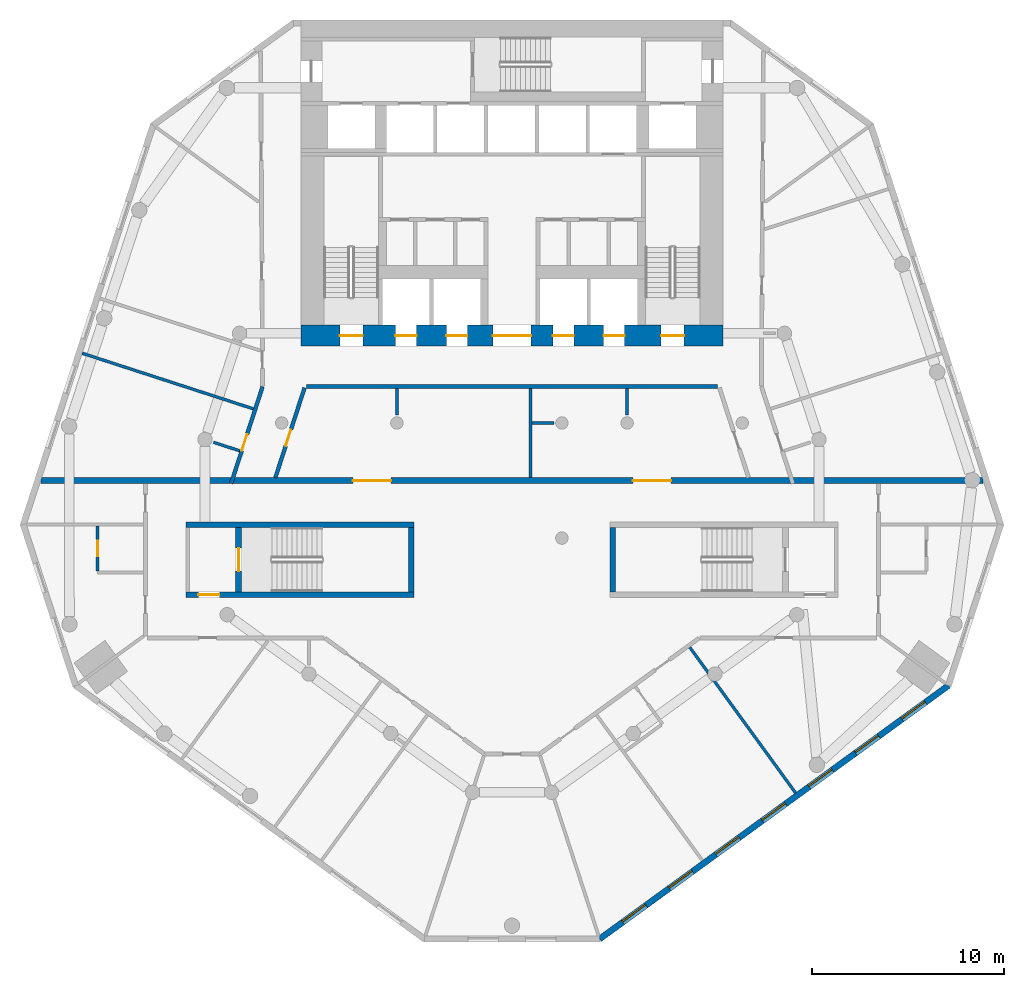
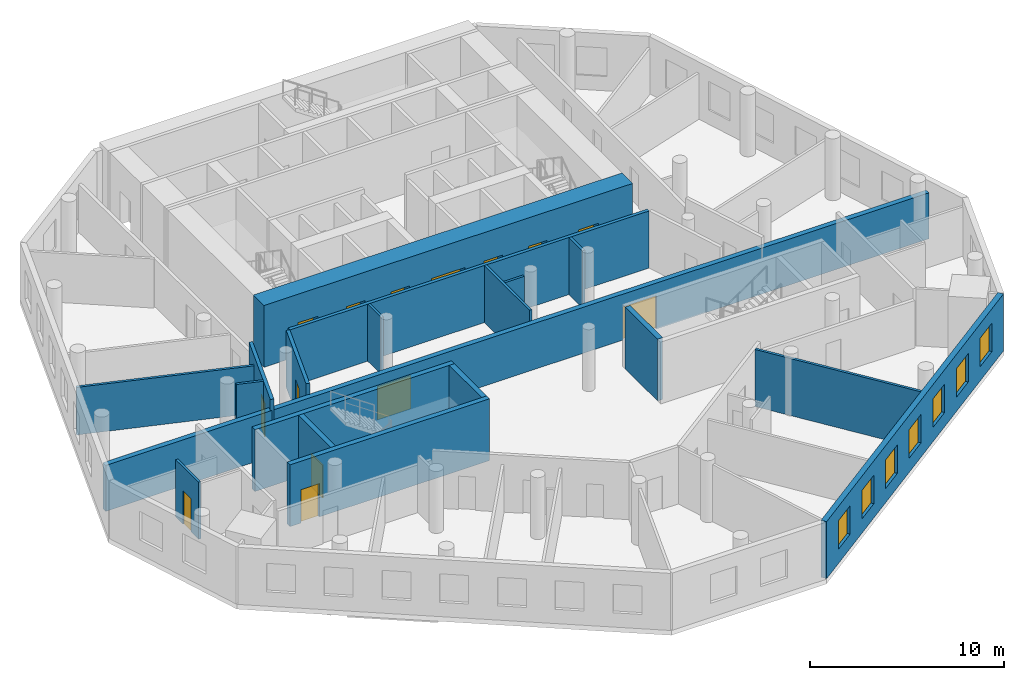
# One storey, part 3 of 9: 19 walls, 14 doors, 7 windows, 21 openings.
"""IFC4 building model written with IfcOpenShell, lengths in metres."""

from ifc_helpers import new_model, si_unit, direction, frame, frame_2d, origin, place, context, subcontext, project, spatial, rectangle, extrude, material, layer, layer_set, type_object, element, fill, save


model = new_model("IFC4")

# Units and contexts
model_context = context("Model", 3, precision=1e-05, world=origin(), true_north=direction((0.0, 1.0)))
body_context = subcontext(model_context, "Body", "Model", "MODEL_VIEW")
ifc_project = project(units=[si_unit("LENGTHUNIT", "METRE"), si_unit("AREAUNIT", "SQUARE_METRE"), si_unit("VOLUMEUNIT", "CUBIC_METRE"), si_unit("PLANEANGLEUNIT", "RADIAN"), si_unit("MASSUNIT", "GRAM", prefix="KILO")], contexts=[model_context])

# Site, building, storey
site_placement = place(None, origin())
site = spatial("IfcSite", under=ifc_project, at=site_placement, CompositionType="ELEMENT")
building_placement = place(site_placement, origin())
building = spatial("IfcBuilding", under=site, at=building_placement, Name="White Candle Pilgrim Tower", CompositionType="ELEMENT")
storey_placement = place(building_placement, frame((0.0, 0.0, 129.800048828125)))
storey = spatial("IfcBuildingStorey", under=building, at=storey_placement, Name="L29", CompositionType="ELEMENT", Elevation=129.800048828125)

# Wall, opening, door
ifc_material_1 = material(Name="Gypsum board on steel studs", Category="steel")
ifc_layer_1 = layer(ifc_material_1, 0.199951171875)
ifc_layer_set_1 = layer_set([ifc_layer_1], Name="Corridor wall 200 mm EI 45")
wall_type_1 = type_object("IfcWallType", Name="Corridor wall 200 mm EI 45", PredefinedType="PARTITIONING", material=ifc_layer_set_1)
wall_1_placement = place(storey_placement, frame((55.363037109375, 63.85009765625, 0.0), z_axis=(0.0, 0.0, 1.0), x_axis=(0.309051657945, 0.95104525272, 0.0)))
wall_1 = element("IfcWall", 1, at=wall_1_placement, inside=storey, type_object=wall_type_1, Name="WL-L29-P002", PredefinedType="PARTITIONING", context=body_context, shape_type="SweptSolid", body=[
    extrude(rectangle(XDim=5.29345703125, YDim=0.199951171875, at=frame_2d((2.646728515625, 0.0))), origin(), (0.0, 0.0, 1.0), 3.599853515625),
])
opening_1_placement = place(wall_1_placement, frame((1.79150390625, 0.0, 0.0)))
opening_1 = element("IfcOpeningElement", 2, at=opening_1_placement, cuts=wall_1, Name="Opening T09-117", PredefinedType="OPENING", context=body_context, shape_type="SweptSolid", body=[
    extrude(rectangle(XDim=0.89990234375, YDim=2.10009765625, at=frame_2d((0.449951171875, 1.050048828125))), frame((0.0, 0.10986328125, 0.0), z_axis=(0.0, -1.0, 0.0), x_axis=(1.0, 0.0, 0.0)), (0.0, 0.0, 1.0), 0.219970703125),
])
ifc_material_2 = material(Name="Steel door leaf", Category="steel")
door_type_1 = type_object("IfcDoorType", Name="Fire door 900 x 2100 EI 30", OperationType="NOTDEFINED", PredefinedType="DOOR", material=ifc_material_2)
door_1_placement = place(opening_1_placement, origin())
door_1 = element("IfcDoor", 3, at=door_1_placement, inside=storey, type_object=door_type_1, Name="Door T09-117", OperationType="SINGLE_SWING_LEFT", OverallHeight=2.10009765625, OverallWidth=0.89990234375, PredefinedType="DOOR", context=body_context, shape_type="SweptSolid", body=[
    extrude(rectangle(XDim=0.89990234375, YDim=2.10009765625, at=frame_2d((0.449951171875, 1.050048828125))), frame((0.0, 0.02490234375, 0.0), z_axis=(0.0, -1.0, 0.0), x_axis=(1.0, 0.0, 0.0)), (0.0, 0.0, 1.0), 0.050048828125),
])
fill(opening_1, door_1)

# Wall
wall_2_placement = place(storey_placement, frame((80.71533203125, 68.89990234375, 0.0), z_axis=(0.0, 0.0, 1.0), x_axis=(-1.0, 0.0, 0.0)))
element("IfcWall", 4, at=wall_2_placement, inside=storey, type_object=wall_type_1, Name="WL-L29-P013", PredefinedType="PARTITIONING", context=body_context, shape_type="SweptSolid", body=[
    extrude(rectangle(XDim=21.4306640625, YDim=0.199951171875, at=frame_2d((10.71533203125, 0.0))), origin(), (0.0, 0.0, 1.0), 3.599853515625),
])

# Wall, opening, door
wall_3_placement = place(storey_placement, frame((59.189697265625, 68.830810546875, 0.0), z_axis=(0.0, 0.0, 1.0), x_axis=(-0.309031112369, -0.951051928965, 0.0)))
wall_3 = element("IfcWall", 5, at=wall_3_placement, inside=storey, type_object=wall_type_1, Name="WL-L29-P014", PredefinedType="PARTITIONING", context=body_context, shape_type="SweptSolid", body=[
    extrude(rectangle(XDim=4.921875, YDim=0.199951171875, at=frame_2d((2.4609375, 0.0))), origin(), (0.0, 0.0, 1.0), 3.599853515625),
])
opening_2_placement = place(wall_3_placement, frame((2.29150390625, 0.0, 0.0)))
opening_2 = element("IfcOpeningElement", 6, at=opening_2_placement, cuts=wall_3, Name="Opening T09-127", PredefinedType="OPENING", context=body_context, shape_type="SweptSolid", body=[
    extrude(rectangle(XDim=0.89990234375, YDim=2.10009765625, at=frame_2d((0.449951171875, 1.050048828125))), frame((0.0, 0.10986328125, 0.0), z_axis=(0.0, -1.0, 0.0), x_axis=(1.0, 0.0, 0.0)), (0.0, 0.0, 1.0), 0.219970703125),
])
door_2_placement = place(opening_2_placement, origin())
door_2 = element("IfcDoor", 7, at=door_2_placement, inside=storey, type_object=door_type_1, Name="Door T09-127", OperationType="SINGLE_SWING_LEFT", OverallHeight=2.10009765625, OverallWidth=0.89990234375, PredefinedType="DOOR", context=body_context, shape_type="SweptSolid", body=[
    extrude(rectangle(XDim=0.89990234375, YDim=2.10009765625, at=frame_2d((0.449951171875, 1.050048828125))), frame((0.0, 0.02490234375, 0.0), z_axis=(0.0, -1.0, 0.0), x_axis=(1.0, 0.0, 0.0)), (0.0, 0.0, 1.0), 0.050048828125),
])
fill(opening_2, door_2)

# Wall, openings, windows
ifc_material_3 = material(Name="Precast concrete C40/50", Category="concrete")
ifc_layer_2 = layer(ifc_material_3, 0.320068359375)
ifc_layer_set_2 = layer_set([ifc_layer_2], Name="Facade wall EW1 precast concrete C40/50 pier wall with timber-lined reveals")
wall_type_2 = type_object("IfcWallType", Name="Facade wall EW1 precast concrete C40/50 pier wall with timber-lined reveals", PredefinedType="SOLIDWALL", material=ifc_layer_set_2)
wall_4_placement = place(storey_placement, frame((74.56787109375, 40.106689453125, 0.0), z_axis=(0.0, 0.0, 1.0), x_axis=(0.809018352132, 0.587783383496, 0.0)))
wall_4 = element("IfcWall", 8, at=wall_4_placement, inside=storey, type_object=wall_type_2, Name="Facade wall L29 SE", PredefinedType="SOLIDWALL", context=body_context, shape_type="SweptSolid", body=[
    extrude(rectangle(XDim=22.47119140625, YDim=0.320068359375, at=frame_2d((11.235595703125, 0.0))), origin(), (0.0, 0.0, 1.0), 3.599853515625),
])
opening_3_placement = place(wall_4_placement, frame((1.485595703125, 0.0, 0.89990234375)))
opening_3 = element("IfcOpeningElement", 9, at=opening_3_placement, cuts=wall_4, Name="Opening W1", PredefinedType="OPENING", context=body_context, shape_type="SweptSolid", body=[
    extrude(rectangle(XDim=1.5, YDim=1.800048828125, at=frame_2d((0.75, 0.89990234375))), frame((0.0, 0.169921875, 0.0), z_axis=(0.0, -1.0, 0.0), x_axis=(1.0, 0.0, 0.0)), (0.0, 0.0, 1.0), 0.340087890625),
])
opening_4_placement = place(wall_4_placement, frame((4.485595703125, 0.0, 0.89990234375)))
opening_4 = element("IfcOpeningElement", 10, at=opening_4_placement, cuts=wall_4, Name="Opening W1", PredefinedType="OPENING", context=body_context, shape_type="SweptSolid", body=[
    extrude(rectangle(XDim=1.5, YDim=1.800048828125, at=frame_2d((0.75, 0.89990234375))), frame((0.0, 0.169921875, 0.0), z_axis=(0.0, -1.0, 0.0), x_axis=(1.0, 0.0, 0.0)), (0.0, 0.0, 1.0), 0.340087890625),
])
opening_5_placement = place(wall_4_placement, frame((7.485595703125, 0.0, 0.89990234375)))
opening_5 = element("IfcOpeningElement", 11, at=opening_5_placement, cuts=wall_4, Name="Opening W1", PredefinedType="OPENING", context=body_context, shape_type="SweptSolid", body=[
    extrude(rectangle(XDim=1.5, YDim=1.800048828125, at=frame_2d((0.75, 0.89990234375))), frame((0.0, 0.169921875, 0.0), z_axis=(0.0, -1.0, 0.0), x_axis=(1.0, 0.0, 0.0)), (0.0, 0.0, 1.0), 0.340087890625),
])
opening_6_placement = place(wall_4_placement, frame((10.485595703125, 0.0, 0.89990234375)))
opening_6 = element("IfcOpeningElement", 12, at=opening_6_placement, cuts=wall_4, Name="Opening W1", PredefinedType="OPENING", context=body_context, shape_type="SweptSolid", body=[
    extrude(rectangle(XDim=1.5, YDim=1.800048828125, at=frame_2d((0.75, 0.89990234375))), frame((0.0, 0.169921875, 0.0), z_axis=(0.0, -1.0, 0.0), x_axis=(1.0, 0.0, 0.0)), (0.0, 0.0, 1.0), 0.340087890625),
])
opening_7_placement = place(wall_4_placement, frame((13.485595703125, 0.0, 0.89990234375)))
opening_7 = element("IfcOpeningElement", 13, at=opening_7_placement, cuts=wall_4, Name="Opening W1", PredefinedType="OPENING", context=body_context, shape_type="SweptSolid", body=[
    extrude(rectangle(XDim=1.5, YDim=1.800048828125, at=frame_2d((0.75, 0.89990234375))), frame((0.0, 0.169921875, 0.0), z_axis=(0.0, -1.0, 0.0), x_axis=(1.0, 0.0, 0.0)), (0.0, 0.0, 1.0), 0.340087890625),
])
opening_8_placement = place(wall_4_placement, frame((16.485595703125, 0.0, 0.89990234375)))
opening_8 = element("IfcOpeningElement", 14, at=opening_8_placement, cuts=wall_4, Name="Opening W1", PredefinedType="OPENING", context=body_context, shape_type="SweptSolid", body=[
    extrude(rectangle(XDim=1.5, YDim=1.800048828125, at=frame_2d((0.75, 0.89990234375))), frame((0.0, 0.169921875, 0.0), z_axis=(0.0, -1.0, 0.0), x_axis=(1.0, 0.0, 0.0)), (0.0, 0.0, 1.0), 0.340087890625),
])
opening_9_placement = place(wall_4_placement, frame((19.485595703125, 0.0, 0.89990234375)))
opening_9 = element("IfcOpeningElement", 15, at=opening_9_placement, cuts=wall_4, Name="Opening W1", PredefinedType="OPENING", context=body_context, shape_type="SweptSolid", body=[
    extrude(rectangle(XDim=1.5, YDim=1.800048828125, at=frame_2d((0.75, 0.89990234375))), frame((0.0, 0.169921875, 0.0), z_axis=(0.0, -1.0, 0.0), x_axis=(1.0, 0.0, 0.0)), (0.0, 0.0, 1.0), 0.340087890625),
])
ifc_material_4 = material(Name="Timber frame with triple glazing", Category="wood")
window_type = type_object("IfcWindowType", Name="Window W1 1500x1800 timber frame triple glazing", PartitioningType="SINGLE_PANEL", PredefinedType="WINDOW", material=ifc_material_4)
window_1_placement = place(opening_3_placement, origin())
window_1 = element("IfcWindow", 16, at=window_1_placement, inside=storey, type_object=window_type, Name="Window W1 L29 SE 1", OverallHeight=1.800048828125, OverallWidth=1.5, PartitioningType="SINGLE_PANEL", PredefinedType="WINDOW", context=body_context, shape_type="SweptSolid", body=[
    extrude(rectangle(XDim=1.5, YDim=1.800048828125, at=frame_2d((0.75, 0.89990234375))), frame((0.0, 0.070068359375, 0.0), z_axis=(0.0, -1.0, 0.0), x_axis=(1.0, 0.0, 0.0)), (0.0, 0.0, 1.0), 0.06005859375),
])
fill(opening_3, window_1)
window_2_placement = place(opening_4_placement, origin())
window_2 = element("IfcWindow", 17, at=window_2_placement, inside=storey, type_object=window_type, Name="Window W1 L29 SE 2", OverallHeight=1.800048828125, OverallWidth=1.5, PartitioningType="SINGLE_PANEL", PredefinedType="WINDOW", context=body_context, shape_type="SweptSolid", body=[
    extrude(rectangle(XDim=1.5, YDim=1.800048828125, at=frame_2d((0.75, 0.89990234375))), frame((0.0, 0.070068359375, 0.0), z_axis=(0.0, -1.0, 0.0), x_axis=(1.0, 0.0, 0.0)), (0.0, 0.0, 1.0), 0.06005859375),
])
fill(opening_4, window_2)
window_3_placement = place(opening_5_placement, origin())
window_3 = element("IfcWindow", 18, at=window_3_placement, inside=storey, type_object=window_type, Name="Window W1 L29 SE 3", OverallHeight=1.800048828125, OverallWidth=1.5, PartitioningType="SINGLE_PANEL", PredefinedType="WINDOW", context=body_context, shape_type="SweptSolid", body=[
    extrude(rectangle(XDim=1.5, YDim=1.800048828125, at=frame_2d((0.75, 0.89990234375))), frame((0.0, 0.070068359375, 0.0), z_axis=(0.0, -1.0, 0.0), x_axis=(1.0, 0.0, 0.0)), (0.0, 0.0, 1.0), 0.06005859375),
])
fill(opening_5, window_3)
window_4_placement = place(opening_6_placement, origin())
window_4 = element("IfcWindow", 19, at=window_4_placement, inside=storey, type_object=window_type, Name="Window W1 L29 SE 4", OverallHeight=1.800048828125, OverallWidth=1.5, PartitioningType="SINGLE_PANEL", PredefinedType="WINDOW", context=body_context, shape_type="SweptSolid", body=[
    extrude(rectangle(XDim=1.5, YDim=1.800048828125, at=frame_2d((0.75, 0.89990234375))), frame((0.0, 0.070068359375, 0.0), z_axis=(0.0, -1.0, 0.0), x_axis=(1.0, 0.0, 0.0)), (0.0, 0.0, 1.0), 0.06005859375),
])
fill(opening_6, window_4)
window_5_placement = place(opening_7_placement, origin())
window_5 = element("IfcWindow", 20, at=window_5_placement, inside=storey, type_object=window_type, Name="Window W1 L29 SE 5", OverallHeight=1.800048828125, OverallWidth=1.5, PartitioningType="SINGLE_PANEL", PredefinedType="WINDOW", context=body_context, shape_type="SweptSolid", body=[
    extrude(rectangle(XDim=1.5, YDim=1.800048828125, at=frame_2d((0.75, 0.89990234375))), frame((0.0, 0.070068359375, 0.0), z_axis=(0.0, -1.0, 0.0), x_axis=(1.0, 0.0, 0.0)), (0.0, 0.0, 1.0), 0.06005859375),
])
fill(opening_7, window_5)
window_6_placement = place(opening_8_placement, origin())
window_6 = element("IfcWindow", 21, at=window_6_placement, inside=storey, type_object=window_type, Name="Window W1 L29 SE 6", OverallHeight=1.800048828125, OverallWidth=1.5, PartitioningType="SINGLE_PANEL", PredefinedType="WINDOW", context=body_context, shape_type="SweptSolid", body=[
    extrude(rectangle(XDim=1.5, YDim=1.800048828125, at=frame_2d((0.75, 0.89990234375))), frame((0.0, 0.070068359375, 0.0), z_axis=(0.0, -1.0, 0.0), x_axis=(1.0, 0.0, 0.0)), (0.0, 0.0, 1.0), 0.06005859375),
])
fill(opening_8, window_6)
window_7_placement = place(opening_9_placement, origin())
window_7 = element("IfcWindow", 22, at=window_7_placement, inside=storey, type_object=window_type, Name="Window W1 L29 SE 7", OverallHeight=1.800048828125, OverallWidth=1.5, PartitioningType="SINGLE_PANEL", PredefinedType="WINDOW", context=body_context, shape_type="SweptSolid", body=[
    extrude(rectangle(XDim=1.5, YDim=1.800048828125, at=frame_2d((0.75, 0.89990234375))), frame((0.0, 0.070068359375, 0.0), z_axis=(0.0, -1.0, 0.0), x_axis=(1.0, 0.0, 0.0)), (0.0, 0.0, 1.0), 0.06005859375),
])
fill(opening_9, window_7)

# Wall, openings, doors
ifc_material_5 = material(Name="Aerated concrete block", Category="concrete")
ifc_layer_3 = layer(ifc_material_5, 0.300048828125)
ifc_layer_set_3 = layer_set([ifc_layer_3], Name="Fire wall 300 mm REI 240")
wall_type_3 = type_object("IfcWallType", Name="Fire wall 300 mm REI 240", PredefinedType="PARTITIONING", material=ifc_layer_set_3)
wall_5_placement = place(storey_placement, frame((45.444091796875, 64.0, 0.0), z_axis=(0.0, 0.0, 1.0), x_axis=(1.0, 0.0, 0.0)))
wall_5 = element("IfcWall", 23, at=wall_5_placement, inside=storey, type_object=wall_type_3, Name="WL-L29-P001", PredefinedType="PARTITIONING", context=body_context, shape_type="SweptSolid", body=[
    extrude(rectangle(XDim=49.11181640625, YDim=0.300048828125, at=frame_2d((24.555908203125, 0.0))), origin(), (0.0, 0.0, 1.0), 2.89990234375),
])
opening_10_placement = place(wall_5_placement, frame((16.261962890625, 0.0, 0.0)))
opening_10 = element("IfcOpeningElement", 24, at=opening_10_placement, cuts=wall_5, Name="Opening T09-114", PredefinedType="OPENING", context=body_context, shape_type="SweptSolid", body=[
    extrude(rectangle(XDim=2.0, YDim=2.10009765625, at=frame_2d((1.0, 1.050048828125))), frame((0.0, 0.159912109375, 0.0), z_axis=(0.0, -1.0, 0.0), x_axis=(1.0, 0.0, 0.0)), (0.0, 0.0, 1.0), 0.320068359375),
])
opening_11_placement = place(wall_5_placement, frame((30.85009765625, 0.0, 0.0)))
opening_11 = element("IfcOpeningElement", 25, at=opening_11_placement, cuts=wall_5, Name="Opening T09-115", PredefinedType="OPENING", context=body_context, shape_type="SweptSolid", body=[
    extrude(rectangle(XDim=2.0, YDim=2.10009765625, at=frame_2d((1.0, 1.050048828125))), frame((0.0, 0.159912109375, 0.0), z_axis=(0.0, -1.0, 0.0), x_axis=(1.0, 0.0, 0.0)), (0.0, 0.0, 1.0), 0.320068359375),
])
door_type_2 = type_object("IfcDoorType", Name="Fire door 2000 x 2100 EI 60", OperationType="NOTDEFINED", PredefinedType="DOOR", material=ifc_material_2)
door_3_placement = place(opening_10_placement, origin())
door_3 = element("IfcDoor", 26, at=door_3_placement, inside=storey, type_object=door_type_2, Name="Door T09-114", OperationType="DOUBLE_DOOR_SINGLE_SWING", OverallHeight=2.10009765625, OverallWidth=2.0, PredefinedType="DOOR", context=body_context, shape_type="SweptSolid", body=[
    extrude(rectangle(XDim=2.0, YDim=2.10009765625, at=frame_2d((1.0, 1.050048828125))), frame((0.0, 0.02490234375, 0.0), z_axis=(0.0, -1.0, 0.0), x_axis=(1.0, 0.0, 0.0)), (0.0, 0.0, 1.0), 0.050048828125),
])
fill(opening_10, door_3)
door_4_placement = place(opening_11_placement, origin())
door_4 = element("IfcDoor", 27, at=door_4_placement, inside=storey, type_object=door_type_2, Name="Door T09-115", OperationType="DOUBLE_DOOR_SINGLE_SWING", OverallHeight=2.10009765625, OverallWidth=2.0, PredefinedType="DOOR", context=body_context, shape_type="SweptSolid", body=[
    extrude(rectangle(XDim=2.0, YDim=2.10009765625, at=frame_2d((1.0, 1.050048828125))), frame((0.0, 0.02490234375, 0.0), z_axis=(0.0, -1.0, 0.0), x_axis=(1.0, 0.0, 0.0)), (0.0, 0.0, 1.0), 0.050048828125),
])
fill(opening_11, door_4)

# Wall
ifc_layer_4 = layer(ifc_material_1, 0.14990234375)
ifc_layer_set_4 = layer_set([ifc_layer_4], Name="Partition 150 mm EI 60")
wall_type_4 = type_object("IfcWallType", Name="Partition 150 mm EI 60", PredefinedType="PARTITIONING", material=ifc_layer_set_4)
wall_6_placement = place(storey_placement, frame((47.599609375, 70.6337890625, 0.0), z_axis=(0.0, 0.0, 1.0), x_axis=(0.951060843481, -0.309003676349, 0.0)))
element("IfcWall", 28, at=wall_6_placement, inside=storey, type_object=wall_type_4, Name="WL-L29-P025", PredefinedType="PARTITIONING", context=body_context, shape_type="SweptSolid", body=[
    extrude(rectangle(XDim=9.3798828125, YDim=0.14990234375, at=frame_2d((4.68994140625, 0.0))), origin(), (0.0, 0.0, 1.0), 3.0),
])

# Wall, opening, door
wall_7_placement = place(storey_placement, frame((48.39990234375, 61.624267578125, 0.0), z_axis=(0.0, 0.0, 1.0), x_axis=(0.0, -1.0, 0.0)))
wall_7 = element("IfcWall", 29, at=wall_7_placement, inside=storey, type_object=wall_type_4, Name="WL-L29-P027", PredefinedType="PARTITIONING", context=body_context, shape_type="SweptSolid", body=[
    extrude(rectangle(XDim=2.35009765625, YDim=0.14990234375, at=frame_2d((1.175048828125, 0.0))), origin(), (0.0, 0.0, 1.0), 3.599853515625),
])
opening_12_placement = place(wall_7_placement, frame((0.77490234375, 0.0, 0.0)))
opening_12 = element("IfcOpeningElement", 30, at=opening_12_placement, cuts=wall_7, Name="Opening T09-101", PredefinedType="OPENING", context=body_context, shape_type="SweptSolid", body=[
    extrude(rectangle(XDim=0.800048828125, YDim=2.10009765625, at=frame_2d((0.39990234375, 1.050048828125))), frame((0.0, 0.0849609375, 0.0), z_axis=(0.0, -1.0, 0.0), x_axis=(1.0, 0.0, 0.0)), (0.0, 0.0, 1.0), 0.169921875),
])
door_type_3 = type_object("IfcDoorType", Name="Fire door 800 x 2100 EI 30", OperationType="NOTDEFINED", PredefinedType="DOOR", material=ifc_material_2)
door_5_placement = place(opening_12_placement, frame((0.800048828125, 0.0, 0.0), z_axis=(0.0, 0.0, 1.0), x_axis=(-1.0, 0.0, 0.0)))
door_5 = element("IfcDoor", 31, at=door_5_placement, inside=storey, type_object=door_type_3, Name="Door T09-101", OperationType="SINGLE_SWING_RIGHT", OverallHeight=2.10009765625, OverallWidth=0.800048828125, PredefinedType="DOOR", context=body_context, shape_type="SweptSolid", body=[
    extrude(rectangle(XDim=0.800048828125, YDim=2.10009765625, at=frame_2d((0.39990234375, 1.050048828125))), frame((0.0, 0.02490234375, 0.0), z_axis=(0.0, -1.0, 0.0), x_axis=(1.0, 0.0, 0.0)), (0.0, 0.0, 1.0), 0.050048828125),
])
fill(opening_12, door_5)

# Walls
wall_8_placement = place(storey_placement, frame((84.77734375, 47.721923828125, 0.0), z_axis=(0.0, 0.0, 1.0), x_axis=(-0.587783184234, 0.809018496903, 0.0)))
element("IfcWall", 32, at=wall_8_placement, inside=storey, type_object=wall_type_4, Name="WL-L29-P032", PredefinedType="PARTITIONING", context=body_context, shape_type="SweptSolid", body=[
    extrude(rectangle(XDim=9.380126953125, YDim=0.14990234375, at=frame_2d((4.68994140625, 0.0))), origin(), (0.0, 0.0, 1.0), 3.599853515625),
])
wall_9_placement = place(storey_placement, frame((70.95458984375, 64.14990234375, 0.0), z_axis=(0.0, 0.0, 1.0), x_axis=(0.0, 1.0, 0.0)))
element("IfcWall", 33, at=wall_9_placement, inside=storey, type_object=wall_type_4, Name="WL-L29-P039", PredefinedType="PARTITIONING", context=body_context, shape_type="SweptSolid", body=[
    extrude(rectangle(XDim=4.650146484375, YDim=0.14990234375, at=frame_2d((2.3251953125, 0.0))), origin(), (0.0, 0.0, 1.0), 3.599853515625),
])
wall_10_placement = place(storey_placement, frame((54.441162109375, 65.992919921875, 0.0), z_axis=(0.0, 0.0, 1.0), x_axis=(0.951031575326, -0.309093744246, 0.0)))
element("IfcWall", 34, at=wall_10_placement, inside=storey, type_object=wall_type_4, Name="WL-L29-P044", PredefinedType="PARTITIONING", context=body_context, shape_type="SweptSolid", body=[
    extrude(rectangle(XDim=1.439208984375, YDim=0.14990234375, at=frame_2d((0.7197265625, 0.0))), origin(), (0.0, 0.0, 1.0), 3.599853515625),
])
wall_11_placement = place(storey_placement, frame((63.997802734375, 67.4150390625, 0.0), z_axis=(0.0, 0.0, 1.0), x_axis=(0.0, 1.0, 0.0)))
element("IfcWall", 35, at=wall_11_placement, inside=storey, type_object=wall_type_4, Name="WL-L29-P045", PredefinedType="PARTITIONING", context=body_context, shape_type="SweptSolid", body=[
    extrude(rectangle(XDim=1.385009765625, YDim=0.14990234375, at=frame_2d((0.6923828125, 0.0))), origin(), (0.0, 0.0, 1.0), 3.599853515625),
])
wall_12_placement = place(storey_placement, frame((72.18505859375, 66.997802734375, 0.0), z_axis=(0.0, 0.0, 1.0), x_axis=(-1.0, 0.0, 0.0)))
element("IfcWall", 36, at=wall_12_placement, inside=storey, type_object=wall_type_4, Name="WL-L29-P046", PredefinedType="PARTITIONING", context=body_context, shape_type="SweptSolid", body=[
    extrude(rectangle(XDim=1.155517578125, YDim=0.14990234375, at=frame_2d((0.57763671875, 0.0))), origin(), (0.0, 0.0, 1.0), 3.599853515625),
])
wall_13_placement = place(storey_placement, frame((75.997802734375, 67.4150390625, 0.0), z_axis=(0.0, 0.0, 1.0), x_axis=(0.0, 1.0, 0.0)))
element("IfcWall", 37, at=wall_13_placement, inside=storey, type_object=wall_type_4, Name="WL-L29-P047", PredefinedType="PARTITIONING", context=body_context, shape_type="SweptSolid", body=[
    extrude(rectangle(XDim=1.385009765625, YDim=0.14990234375, at=frame_2d((0.6923828125, 0.0))), origin(), (0.0, 0.0, 1.0), 3.599853515625),
])

# Wall, openings, doors
ifc_material_6 = material(Name="Concrete C60/75", Category="concrete")
ifc_layer_5 = layer(ifc_material_6, 1.10009765625)
ifc_layer_set_5 = layer_set([ifc_layer_5], Name="Stair shaft wall 1100 mm Concrete C60/75")
wall_type_5 = type_object("IfcWallType", Name="Stair shaft wall 1100 mm Concrete C60/75", PredefinedType="SHEAR", material=ifc_layer_set_5)
wall_14_placement = place(storey_placement, frame((59.0, 71.550048828125, 0.0), z_axis=(0.0, 0.0, 1.0), x_axis=(1.0, 0.0, 0.0)))
wall_14 = element("IfcWall", 38, at=wall_14_placement, inside=storey, type_object=wall_type_5, Name="WL-L29-C11", PredefinedType="SHEAR", context=body_context, shape_type="SweptSolid", body=[
    extrude(rectangle(XDim=22.0, YDim=1.10009765625, at=frame_2d((11.0, 0.0))), origin(), (0.0, 0.0, 1.0), 3.89990234375),
])
opening_13_placement = place(wall_14_placement, frame((2.02490234375, 0.0, 0.0)))
opening_13 = element("IfcOpeningElement", 39, at=opening_13_placement, cuts=wall_14, Name="Opening T09-001", PredefinedType="OPENING", context=body_context, shape_type="SweptSolid", body=[
    extrude(rectangle(XDim=1.199951171875, YDim=2.10009765625, at=frame_2d((0.60009765625, 1.050048828125))), frame((0.0, 0.56005859375, 0.0), z_axis=(0.0, -1.0, 0.0), x_axis=(1.0, 0.0, 0.0)), (0.0, 0.0, 1.0), 1.1201171875),
])
opening_14_placement = place(wall_14_placement, frame((18.77490234375, 0.0, 0.0)))
opening_14 = element("IfcOpeningElement", 40, at=opening_14_placement, cuts=wall_14, Name="Opening T09-002", PredefinedType="OPENING", context=body_context, shape_type="SweptSolid", body=[
    extrude(rectangle(XDim=1.199951171875, YDim=2.10009765625, at=frame_2d((0.60009765625, 1.050048828125))), frame((0.0, 0.56005859375, 0.0), z_axis=(0.0, -1.0, 0.0), x_axis=(1.0, 0.0, 0.0)), (0.0, 0.0, 1.0), 1.1201171875),
])
opening_15_placement = place(wall_14_placement, frame((10.0, 0.0, 0.0)))
opening_15 = element("IfcOpeningElement", 41, at=opening_15_placement, cuts=wall_14, Name="Opening T09-004", PredefinedType="OPENING", context=body_context, shape_type="SweptSolid", body=[
    extrude(rectangle(XDim=2.0, YDim=2.10009765625, at=frame_2d((1.0, 1.050048828125))), frame((0.0, 0.56005859375, 0.0), z_axis=(0.0, -1.0, 0.0), x_axis=(1.0, 0.0, 0.0)), (0.0, 0.0, 1.0), 1.1201171875),
])
opening_16_placement = place(wall_14_placement, frame((4.925048828125, 0.0, 0.0)))
opening_16 = element("IfcOpeningElement", 42, at=opening_16_placement, cuts=wall_14, Name="Opening T09-014", PredefinedType="OPENING", context=body_context, shape_type="SweptSolid", body=[
    extrude(rectangle(XDim=1.10009765625, YDim=2.10009765625, at=frame_2d((0.550048828125, 1.050048828125))), frame((0.0, 0.56005859375, 0.0), z_axis=(0.0, -1.0, 0.0), x_axis=(1.0, 0.0, 0.0)), (0.0, 0.0, 1.0), 1.1201171875),
])
opening_17_placement = place(wall_14_placement, frame((7.574951171875, 0.0, 0.0)))
opening_17 = element("IfcOpeningElement", 43, at=opening_17_placement, cuts=wall_14, Name="Opening T09-015", PredefinedType="OPENING", context=body_context, shape_type="SweptSolid", body=[
    extrude(rectangle(XDim=1.10009765625, YDim=2.10009765625, at=frame_2d((0.550048828125, 1.050048828125))), frame((0.0, 0.56005859375, 0.0), z_axis=(0.0, -1.0, 0.0), x_axis=(1.0, 0.0, 0.0)), (0.0, 0.0, 1.0), 1.1201171875),
])
opening_18_placement = place(wall_14_placement, frame((13.125, 0.0, 0.0)))
opening_18 = element("IfcOpeningElement", 44, at=opening_18_placement, cuts=wall_14, Name="Opening T09-016", PredefinedType="OPENING", context=body_context, shape_type="SweptSolid", body=[
    extrude(rectangle(XDim=1.10009765625, YDim=2.10009765625, at=frame_2d((0.550048828125, 1.050048828125))), frame((0.0, 0.56005859375, 0.0), z_axis=(0.0, -1.0, 0.0), x_axis=(1.0, 0.0, 0.0)), (0.0, 0.0, 1.0), 1.1201171875),
])
opening_19_placement = place(wall_14_placement, frame((15.77490234375, 0.0, 0.0)))
opening_19 = element("IfcOpeningElement", 45, at=opening_19_placement, cuts=wall_14, Name="Opening T09-017", PredefinedType="OPENING", context=body_context, shape_type="SweptSolid", body=[
    extrude(rectangle(XDim=1.10009765625, YDim=2.10009765625, at=frame_2d((0.550048828125, 1.050048828125))), frame((0.0, 0.56005859375, 0.0), z_axis=(0.0, -1.0, 0.0), x_axis=(1.0, 0.0, 0.0)), (0.0, 0.0, 1.0), 1.1201171875),
])
door_type_4 = type_object("IfcDoorType", Name="Fire door 1200 x 2100 EI 60", OperationType="NOTDEFINED", PredefinedType="DOOR", material=ifc_material_2)
door_6_placement = place(opening_13_placement, frame((1.199951171875, 0.0, 0.0), z_axis=(0.0, 0.0, 1.0), x_axis=(-1.0, 0.0, 0.0)))
door_6 = element("IfcDoor", 46, at=door_6_placement, inside=storey, type_object=door_type_4, Name="Door T09-001", OperationType="SINGLE_SWING_RIGHT", OverallHeight=2.10009765625, OverallWidth=1.199951171875, PredefinedType="DOOR", context=body_context, shape_type="SweptSolid", body=[
    extrude(rectangle(XDim=1.199951171875, YDim=2.10009765625, at=frame_2d((0.60009765625, 1.050048828125))), frame((0.0, 0.02490234375, 0.0), z_axis=(0.0, -1.0, 0.0), x_axis=(1.0, 0.0, 0.0)), (0.0, 0.0, 1.0), 0.050048828125),
])
fill(opening_13, door_6)
door_7_placement = place(opening_14_placement, frame((1.199951171875, 0.0, 0.0), z_axis=(0.0, 0.0, 1.0), x_axis=(-1.0, 0.0, 0.0)))
door_7 = element("IfcDoor", 47, at=door_7_placement, inside=storey, type_object=door_type_4, Name="Door T09-002", OperationType="SINGLE_SWING_LEFT", OverallHeight=2.10009765625, OverallWidth=1.199951171875, PredefinedType="DOOR", context=body_context, shape_type="SweptSolid", body=[
    extrude(rectangle(XDim=1.199951171875, YDim=2.10009765625, at=frame_2d((0.60009765625, 1.050048828125))), frame((0.0, 0.02490234375, 0.0), z_axis=(0.0, -1.0, 0.0), x_axis=(1.0, 0.0, 0.0)), (0.0, 0.0, 1.0), 0.050048828125),
])
fill(opening_14, door_7)
door_8_placement = place(opening_15_placement, frame((2.0, 0.0, 0.0), z_axis=(0.0, 0.0, 1.0), x_axis=(-1.0, 0.0, 0.0)))
door_8 = element("IfcDoor", 48, at=door_8_placement, inside=storey, type_object=door_type_2, Name="Door T09-004", OperationType="DOUBLE_DOOR_SINGLE_SWING", OverallHeight=2.10009765625, OverallWidth=2.0, PredefinedType="DOOR", context=body_context, shape_type="SweptSolid", body=[
    extrude(rectangle(XDim=2.0, YDim=2.10009765625, at=frame_2d((1.0, 1.050048828125))), frame((0.0, 0.02490234375, 0.0), z_axis=(0.0, -1.0, 0.0), x_axis=(1.0, 0.0, 0.0)), (0.0, 0.0, 1.0), 0.050048828125),
])
fill(opening_15, door_8)
ifc_material_7 = material(Name="Stainless steel", Category="steel")
door_type_5 = type_object("IfcDoorType", Name="Lift landing door 1100 x 2100 E 60", OperationType="DOUBLE_DOOR_SLIDING", PredefinedType="DOOR", material=ifc_material_7)
door_9_placement = place(opening_16_placement, origin())
door_9 = element("IfcDoor", 49, at=door_9_placement, inside=storey, type_object=door_type_5, Name="Door T09-014", OperationType="DOUBLE_DOOR_SLIDING", OverallHeight=2.10009765625, OverallWidth=1.10009765625, PredefinedType="DOOR", context=body_context, shape_type="SweptSolid", body=[
    extrude(rectangle(XDim=1.10009765625, YDim=2.10009765625, at=frame_2d((0.550048828125, 1.050048828125))), frame((0.0, 0.02490234375, 0.0), z_axis=(0.0, -1.0, 0.0), x_axis=(1.0, 0.0, 0.0)), (0.0, 0.0, 1.0), 0.050048828125),
])
fill(opening_16, door_9)
door_10_placement = place(opening_17_placement, origin())
door_10 = element("IfcDoor", 50, at=door_10_placement, inside=storey, type_object=door_type_5, Name="Door T09-015", OperationType="DOUBLE_DOOR_SLIDING", OverallHeight=2.10009765625, OverallWidth=1.10009765625, PredefinedType="DOOR", context=body_context, shape_type="SweptSolid", body=[
    extrude(rectangle(XDim=1.10009765625, YDim=2.10009765625, at=frame_2d((0.550048828125, 1.050048828125))), frame((0.0, 0.02490234375, 0.0), z_axis=(0.0, -1.0, 0.0), x_axis=(1.0, 0.0, 0.0)), (0.0, 0.0, 1.0), 0.050048828125),
])
fill(opening_17, door_10)
door_11_placement = place(opening_18_placement, origin())
door_11 = element("IfcDoor", 51, at=door_11_placement, inside=storey, type_object=door_type_5, Name="Door T09-016", OperationType="DOUBLE_DOOR_SLIDING", OverallHeight=2.10009765625, OverallWidth=1.10009765625, PredefinedType="DOOR", context=body_context, shape_type="SweptSolid", body=[
    extrude(rectangle(XDim=1.10009765625, YDim=2.10009765625, at=frame_2d((0.550048828125, 1.050048828125))), frame((0.0, 0.02490234375, 0.0), z_axis=(0.0, -1.0, 0.0), x_axis=(1.0, 0.0, 0.0)), (0.0, 0.0, 1.0), 0.050048828125),
])
fill(opening_18, door_11)
door_12_placement = place(opening_19_placement, origin())
door_12 = element("IfcDoor", 52, at=door_12_placement, inside=storey, type_object=door_type_5, Name="Door T09-017", OperationType="DOUBLE_DOOR_SLIDING", OverallHeight=2.10009765625, OverallWidth=1.10009765625, PredefinedType="DOOR", context=body_context, shape_type="SweptSolid", body=[
    extrude(rectangle(XDim=1.10009765625, YDim=2.10009765625, at=frame_2d((0.550048828125, 1.050048828125))), frame((0.0, 0.02490234375, 0.0), z_axis=(0.0, -1.0, 0.0), x_axis=(1.0, 0.0, 0.0)), (0.0, 0.0, 1.0), 0.050048828125),
])
fill(opening_19, door_12)

# Wall, opening, door
ifc_layer_6 = layer(ifc_material_6, 0.300048828125)
ifc_layer_set_6 = layer_set([ifc_layer_6], Name="Stair shaft wall 300 mm Concrete C60/75")
wall_type_6 = type_object("IfcWallType", Name="Stair shaft wall 300 mm Concrete C60/75", PredefinedType="SHEAR", material=ifc_layer_set_6)
wall_15_placement = place(storey_placement, frame((53.0, 58.050048828125, 0.0), z_axis=(0.0, 0.0, 1.0), x_axis=(1.0, 0.0, 0.0)))
wall_15 = element("IfcWall", 53, at=wall_15_placement, inside=storey, type_object=wall_type_6, Name="WL-L29-C01", PredefinedType="SHEAR", context=body_context, shape_type="SweptSolid", body=[
    extrude(rectangle(XDim=11.89990234375, YDim=0.300048828125, at=frame_2d((5.949951171875, 0.0))), origin(), (0.0, 0.0, 1.0), 3.89990234375),
])
opening_20_placement = place(wall_15_placement, frame((0.64990234375, 0.0, 0.0)))
opening_20 = element("IfcOpeningElement", 54, at=opening_20_placement, cuts=wall_15, Name="Opening T09-007", PredefinedType="OPENING", context=body_context, shape_type="SweptSolid", body=[
    extrude(rectangle(XDim=1.10009765625, YDim=2.10009765625, at=frame_2d((0.550048828125, 1.050048828125))), frame((0.0, 0.159912109375, 0.0), z_axis=(0.0, -1.0, 0.0), x_axis=(1.0, 0.0, 0.0)), (0.0, 0.0, 1.0), 0.320068359375),
])
door_type_6 = type_object("IfcDoorType", Name="Fire door 1100 x 2100 EI 60", OperationType="NOTDEFINED", PredefinedType="DOOR", material=ifc_material_2)
door_13_placement = place(opening_20_placement, origin())
door_13 = element("IfcDoor", 55, at=door_13_placement, inside=storey, type_object=door_type_6, Name="Door T09-007", OperationType="SINGLE_SWING_LEFT", OverallHeight=2.10009765625, OverallWidth=1.10009765625, PredefinedType="DOOR", context=body_context, shape_type="SweptSolid", body=[
    extrude(rectangle(XDim=1.10009765625, YDim=2.10009765625, at=frame_2d((0.550048828125, 1.050048828125))), frame((0.0, 0.02490234375, 0.0), z_axis=(0.0, -1.0, 0.0), x_axis=(1.0, 0.0, 0.0)), (0.0, 0.0, 1.0), 0.050048828125),
])
fill(opening_20, door_13)

wall_16_placement = place(storey_placement, frame((55.75, 58.199951171875, 0.0), z_axis=(0.0, 0.0, 1.0), x_axis=(0.0, 1.0, 0.0)))
wall_16 = element("IfcWall", 56, at=wall_16_placement, inside=storey, type_object=wall_type_6, Name="WL-L29-C04", PredefinedType="SHEAR", context=body_context, shape_type="SweptSolid", body=[
    extrude(rectangle(XDim=3.35009765625, YDim=0.300048828125, at=frame_2d((1.675048828125, 0.0))), origin(), (0.0, 0.0, 1.0), 3.89990234375),
])
opening_21_placement = place(wall_16_placement, frame((1.074951171875, 0.0, 0.0)))
opening_21 = element("IfcOpeningElement", 57, at=opening_21_placement, cuts=wall_16, Name="Opening T09-008", PredefinedType="OPENING", context=body_context, shape_type="SweptSolid", body=[
    extrude(rectangle(XDim=1.199951171875, YDim=2.10009765625, at=frame_2d((0.60009765625, 1.050048828125))), frame((0.0, 0.159912109375, 0.0), z_axis=(0.0, -1.0, 0.0), x_axis=(1.0, 0.0, 0.0)), (0.0, 0.0, 1.0), 0.320068359375),
])
door_14_placement = place(opening_21_placement, frame((1.199951171875, 0.0, 0.0), z_axis=(0.0, 0.0, 1.0), x_axis=(-1.0, 0.0, 0.0)))
door_14 = element("IfcDoor", 58, at=door_14_placement, inside=storey, type_object=door_type_4, Name="Door T09-008", OperationType="SINGLE_SWING_LEFT", OverallHeight=2.10009765625, OverallWidth=1.199951171875, PredefinedType="DOOR", context=body_context, shape_type="SweptSolid", body=[
    extrude(rectangle(XDim=1.199951171875, YDim=2.10009765625, at=frame_2d((0.60009765625, 1.050048828125))), frame((0.0, 0.02490234375, 0.0), z_axis=(0.0, -1.0, 0.0), x_axis=(1.0, 0.0, 0.0)), (0.0, 0.0, 1.0), 0.050048828125),
])
fill(opening_21, door_14)

# Walls
for number, where, z_axis, x_axis, name in (
    (59, (64.75, 58.199951171875, 0.0), (0.0, 0.0, 1.0), (0.0, 1.0, 0.0), "WL-L29-C05"),
    (60, (75.25, 58.199951171875, 0.0), (0.0, 0.0, 1.0), (0.0, 1.0, 0.0), "WL-L29-C06"),
):
    element("IfcWall", number, at=place(storey_placement, frame(where, z_axis=z_axis, x_axis=x_axis)), inside=storey, type_object=wall_type_6, Name=name, PredefinedType="SHEAR", context=body_context, shape_type="SweptSolid", body=[
        extrude(rectangle(XDim=3.35009765625, YDim=0.300048828125, at=frame_2d((1.675048828125, 0.0))), origin(), (0.0, 0.0, 1.0), 3.89990234375),
    ])
wall_17_placement = place(storey_placement, frame((53.0, 61.699951171875, 0.0), z_axis=(0.0, 0.0, 1.0), x_axis=(1.0, 0.0, 0.0)))
element("IfcWall", 61, at=wall_17_placement, inside=storey, type_object=wall_type_6, Name="WL-L29-C09", PredefinedType="SHEAR", context=body_context, shape_type="SweptSolid", body=[
    extrude(rectangle(XDim=11.89990234375, YDim=0.300048828125, at=frame_2d((5.949951171875, 0.0))), origin(), (0.0, 0.0, 1.0), 3.89990234375),
])

save(model, "model.ifc")
